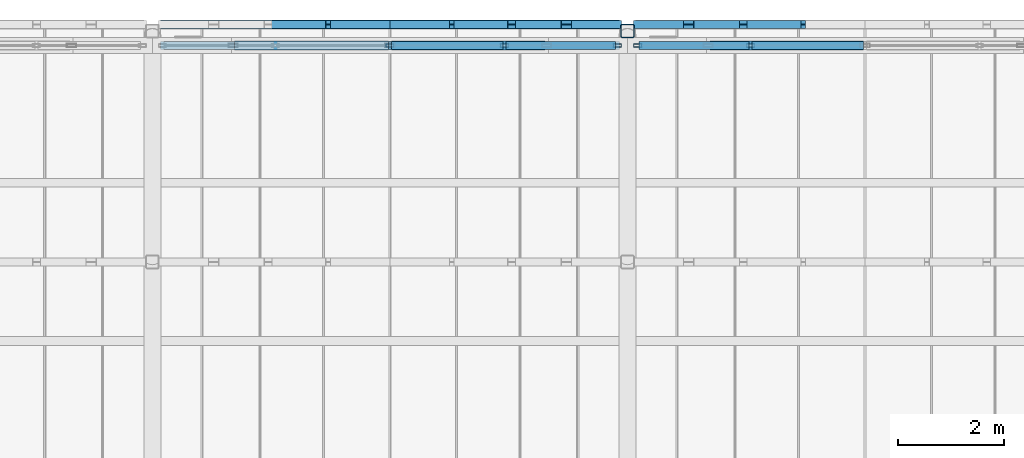
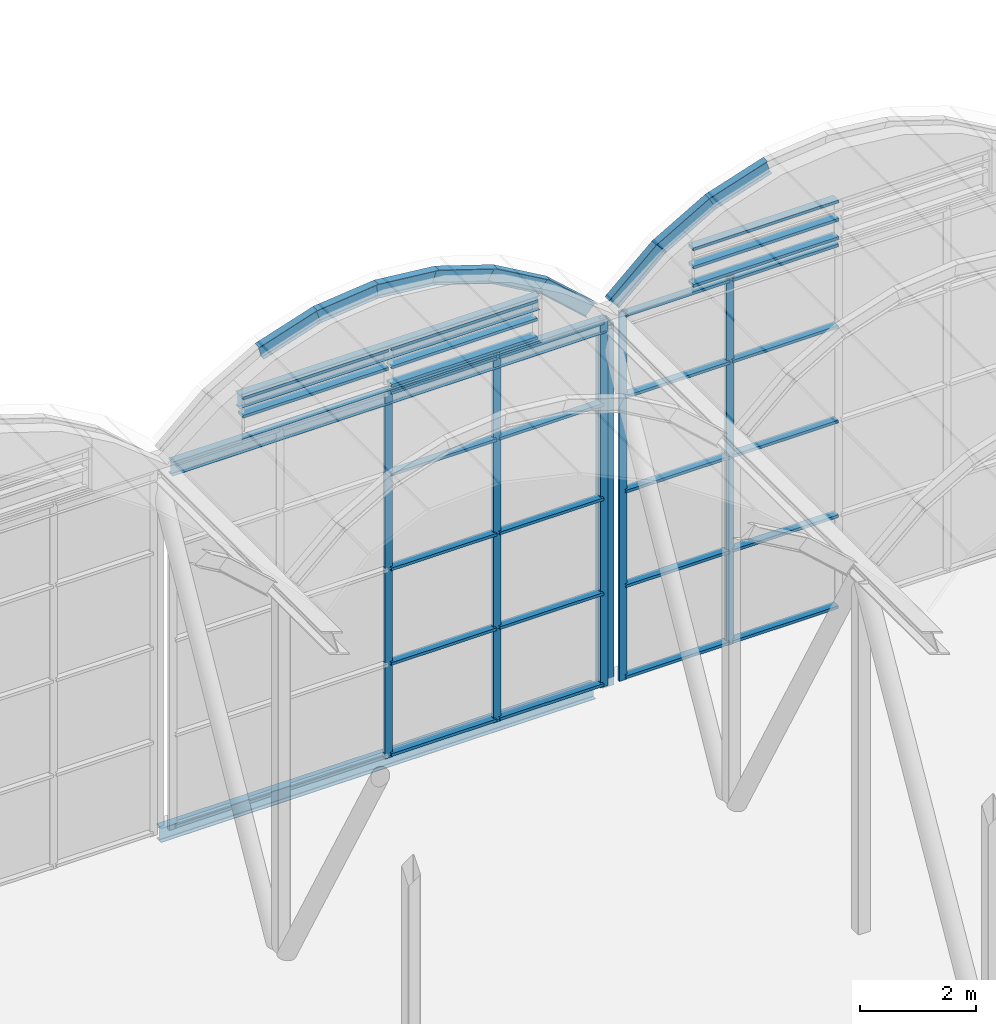
# One storey, part 105 of 144: 43 members, 3 beams, 4 elements without a shape of their own.
"""IFC4 building model written with IfcOpenShell, lengths in metres."""

from ifc_helpers import new_model, si_unit, direction, frame, origin, origin_2d, place, context, subcontext, project, spatial, hollow_rectangle, i_section, extrude, material, layer, layer_set, material_profile, profile_set, type_object, element, aggregate, save


model = new_model("IFC4")

# Units and contexts
model_context = context("Model", 3, precision=1e-05, world=origin(), true_north=direction((0.0, 1.0)))
body_context = subcontext(model_context, "Body", "Model", "MODEL_VIEW")
ifc_project = project(units=[si_unit("LENGTHUNIT", "METRE"), si_unit("AREAUNIT", "SQUARE_METRE"), si_unit("VOLUMEUNIT", "CUBIC_METRE"), si_unit("PLANEANGLEUNIT", "RADIAN"), si_unit("MASSUNIT", "GRAM", prefix="KILO")], contexts=[model_context])

# Site, building, storey
site_placement = place(None, origin())
site = spatial("IfcSite", under=ifc_project, at=site_placement, CompositionType="ELEMENT")
building_placement = place(site_placement, origin())
building = spatial("IfcBuilding", under=site, at=building_placement, Name="Shorebreak Coast Museum", CompositionType="ELEMENT")
storey_placement = place(building_placement, frame((0.0, 0.0, 36.0)))
storey = spatial("IfcBuildingStorey", under=building, at=storey_placement, Name="L06", CompositionType="ELEMENT", Elevation=36.0)

# Curtain wall, members
ifc_material_1 = material(Name="Aluminium", Category="aluminium")
ifc_layer_1 = layer(ifc_material_1, 0.14990234375)
ifc_layer_set_1 = layer_set([ifc_layer_1], Name="Aluminium")
curtain_wall_type_1 = type_object("IfcCurtainWallType", Name="Barrel end glazing", PredefinedType="NOTDEFINED", material=ifc_layer_set_1)
curtain_wall_1_placement = place(storey_placement, origin())
curtain_wall_1 = element("IfcCurtainWall", 1, at=curtain_wall_1_placement, inside=storey, type_object=curtain_wall_type_1, Name="Barrel end glazing L06 2", PredefinedType="NOTDEFINED")
ifc_material_2 = material(Name="Aluminium", Category="aluminium")
ifc_material_profile_1 = material_profile(ifc_material_2, hollow_rectangle(XDim=0.06005859375, YDim=0.14990234375, WallThickness=0.00390625, at=origin_2d()), Name="AL 150x60 RHS")
ifc_profile_set_1 = profile_set([ifc_material_profile_1], Name="Aluminium")
member_type_1 = type_object("IfcMemberType", Name="Barrel mullion 60 x 150", PredefinedType="MULLION", material=ifc_profile_set_1)
member_1_placement = place(storey_placement, frame((67.5, 134.60009765625, 0.0), z_axis=(0.0, 0.0, 1.0), x_axis=(0.0, 1.0, 0.0)))
member_1 = element("IfcMember", 2, at=member_1_placement, type_object=member_type_1, Name="CW7 mullion 3", PredefinedType="MULLION", context=body_context, shape_type="SweptSolid", body=[
    extrude(hollow_rectangle(XDim=0.06005859375, YDim=0.14990234375, WallThickness=0.00390625, at=origin_2d()), origin(), (0.0, 0.0, 1.0), 7.800048828125),
])
member_2_placement = place(storey_placement, frame((69.6689453125, 134.60009765625, 0.0), z_axis=(0.0, 0.0, 1.0), x_axis=(0.0, 1.0, 0.0)))
member_2 = element("IfcMember", 3, at=member_2_placement, type_object=member_type_1, Name="CW7 mullion 4", PredefinedType="MULLION", context=body_context, shape_type="SweptSolid", body=[
    extrude(hollow_rectangle(XDim=0.06005859375, YDim=0.14990234375, WallThickness=0.00390625, at=origin_2d()), origin(), (0.0, 0.0, 1.0), 7.800048828125),
])
member_3_placement = place(storey_placement, frame((71.80810546875, 134.60009765625, 0.0), z_axis=(0.0, 0.0, 1.0), x_axis=(0.0, 1.0, 0.0)))
member_3 = element("IfcMember", 4, at=member_3_placement, type_object=member_type_1, Name="CW7 mullion 5", PredefinedType="MULLION", context=body_context, shape_type="SweptSolid", body=[
    extrude(hollow_rectangle(XDim=0.06005859375, YDim=0.14990234375, WallThickness=0.00390625, at=origin_2d()), origin(), (0.0, 0.0, 1.0), 7.800048828125),
])

curtain_wall_2_placement = place(storey_placement, origin())
curtain_wall_2 = element("IfcCurtainWall", 5, at=curtain_wall_2_placement, inside=storey, type_object=curtain_wall_type_1, Name="Barrel end glazing L06 3", PredefinedType="NOTDEFINED")
member_4_placement = place(storey_placement, frame((72.19189453125, 134.60009765625, 0.0), z_axis=(0.0, 0.0, 1.0), x_axis=(0.0, 1.0, 0.0)))
member_4 = element("IfcMember", 6, at=member_4_placement, type_object=member_type_1, Name="CW7 mullion 1", PredefinedType="MULLION", context=body_context, shape_type="SweptSolid", body=[
    extrude(hollow_rectangle(XDim=0.06005859375, YDim=0.14990234375, WallThickness=0.00390625, at=origin_2d()), origin(), (0.0, 0.0, 1.0), 7.800048828125),
])
member_5_placement = place(storey_placement, frame((74.3310546875, 134.60009765625, 0.0), z_axis=(0.0, 0.0, 1.0), x_axis=(0.0, 1.0, 0.0)))
member_5 = element("IfcMember", 7, at=member_5_placement, type_object=member_type_1, Name="CW7 mullion 2", PredefinedType="MULLION", context=body_context, shape_type="SweptSolid", body=[
    extrude(hollow_rectangle(XDim=0.06005859375, YDim=0.14990234375, WallThickness=0.00390625, at=origin_2d()), origin(), (0.0, 0.0, 1.0), 7.800048828125),
])

# Member
ifc_material_3 = material(Name="Aluminium", Category="aluminium")
ifc_material_profile_2 = material_profile(ifc_material_3, hollow_rectangle(XDim=0.14990234375, YDim=0.06005859375, WallThickness=0.00390625, at=origin_2d()), Name="AL 60x150 RHS")
ifc_profile_set_2 = profile_set([ifc_material_profile_2], Name="Aluminium")
member_type_2 = type_object("IfcMemberType", Name="Barrel transom 150 x 60", PredefinedType="USERDEFINED", material=ifc_profile_set_2)
member_6_placement = place(storey_placement, frame((67.530029296875, 134.60009765625, 0.074951171875), z_axis=(1.0, 0.0, 0.0), x_axis=(0.0, 1.0, 0.0)))
member_6 = element("IfcMember", 8, at=member_6_placement, type_object=member_type_2, Name="CW7 transom 3.1", ObjectType="TRANSOM", PredefinedType="USERDEFINED", context=body_context, shape_type="SweptSolid", body=[
    extrude(hollow_rectangle(XDim=0.14990234375, YDim=0.06005859375, WallThickness=0.00390625, at=origin_2d()), origin(), (0.0, 0.0, 1.0), 2.10888671875),
])

member_7_placement = place(storey_placement, frame((67.530029296875, 134.60009765625, 2.0), z_axis=(1.0, 0.0, 0.0), x_axis=(0.0, 1.0, 0.0)))
member_7 = element("IfcMember", 9, at=member_7_placement, type_object=member_type_2, Name="CW7 transom 3.2", ObjectType="TRANSOM", PredefinedType="USERDEFINED", context=body_context, shape_type="SweptSolid", body=[
    extrude(hollow_rectangle(XDim=0.14990234375, YDim=0.06005859375, WallThickness=0.00390625, at=origin_2d()), origin(), (0.0, 0.0, 1.0), 2.10888671875),
])

member_8_placement = place(storey_placement, frame((67.530029296875, 134.60009765625, 4.0), z_axis=(1.0, 0.0, 0.0), x_axis=(0.0, 1.0, 0.0)))
member_8 = element("IfcMember", 10, at=member_8_placement, type_object=member_type_2, Name="CW7 transom 3.3", ObjectType="TRANSOM", PredefinedType="USERDEFINED", context=body_context, shape_type="SweptSolid", body=[
    extrude(hollow_rectangle(XDim=0.14990234375, YDim=0.06005859375, WallThickness=0.00390625, at=origin_2d()), origin(), (0.0, 0.0, 1.0), 2.10888671875),
])

member_9_placement = place(storey_placement, frame((67.530029296875, 134.60009765625, 6.0), z_axis=(1.0, 0.0, 0.0), x_axis=(0.0, 1.0, 0.0)))
member_9 = element("IfcMember", 11, at=member_9_placement, type_object=member_type_2, Name="CW7 transom 3.4", ObjectType="TRANSOM", PredefinedType="USERDEFINED", context=body_context, shape_type="SweptSolid", body=[
    extrude(hollow_rectangle(XDim=0.14990234375, YDim=0.06005859375, WallThickness=0.00390625, at=origin_2d()), origin(), (0.0, 0.0, 1.0), 2.10888671875),
])

member_10_placement = place(storey_placement, frame((67.530029296875, 134.60009765625, 7.72509765625), z_axis=(1.0, 0.0, 0.0), x_axis=(0.0, 1.0, 0.0)))
member_10 = element("IfcMember", 12, at=member_10_placement, type_object=member_type_2, Name="CW7 transom 3.5", ObjectType="TRANSOM", PredefinedType="USERDEFINED", context=body_context, shape_type="SweptSolid", body=[
    extrude(hollow_rectangle(XDim=0.14990234375, YDim=0.06005859375, WallThickness=0.00390625, at=origin_2d()), origin(), (0.0, 0.0, 1.0), 2.10888671875),
])

member_11_placement = place(storey_placement, frame((69.698974609375, 134.60009765625, 0.074951171875), z_axis=(1.0, 0.0, 0.0), x_axis=(0.0, 1.0, 0.0)))
member_11 = element("IfcMember", 13, at=member_11_placement, type_object=member_type_2, Name="CW7 transom 4.1", ObjectType="TRANSOM", PredefinedType="USERDEFINED", context=body_context, shape_type="SweptSolid", body=[
    extrude(hollow_rectangle(XDim=0.14990234375, YDim=0.06005859375, WallThickness=0.00390625, at=origin_2d()), origin(), (0.0, 0.0, 1.0), 2.0791015625),
])

member_12_placement = place(storey_placement, frame((69.698974609375, 134.60009765625, 2.0), z_axis=(1.0, 0.0, 0.0), x_axis=(0.0, 1.0, 0.0)))
member_12 = element("IfcMember", 14, at=member_12_placement, type_object=member_type_2, Name="CW7 transom 4.2", ObjectType="TRANSOM", PredefinedType="USERDEFINED", context=body_context, shape_type="SweptSolid", body=[
    extrude(hollow_rectangle(XDim=0.14990234375, YDim=0.06005859375, WallThickness=0.00390625, at=origin_2d()), origin(), (0.0, 0.0, 1.0), 2.0791015625),
])

member_13_placement = place(storey_placement, frame((69.698974609375, 134.60009765625, 4.0), z_axis=(1.0, 0.0, 0.0), x_axis=(0.0, 1.0, 0.0)))
member_13 = element("IfcMember", 15, at=member_13_placement, type_object=member_type_2, Name="CW7 transom 4.3", ObjectType="TRANSOM", PredefinedType="USERDEFINED", context=body_context, shape_type="SweptSolid", body=[
    extrude(hollow_rectangle(XDim=0.14990234375, YDim=0.06005859375, WallThickness=0.00390625, at=origin_2d()), origin(), (0.0, 0.0, 1.0), 2.0791015625),
])

member_14_placement = place(storey_placement, frame((69.698974609375, 134.60009765625, 6.0), z_axis=(1.0, 0.0, 0.0), x_axis=(0.0, 1.0, 0.0)))
member_14 = element("IfcMember", 16, at=member_14_placement, type_object=member_type_2, Name="CW7 transom 4.4", ObjectType="TRANSOM", PredefinedType="USERDEFINED", context=body_context, shape_type="SweptSolid", body=[
    extrude(hollow_rectangle(XDim=0.14990234375, YDim=0.06005859375, WallThickness=0.00390625, at=origin_2d()), origin(), (0.0, 0.0, 1.0), 2.0791015625),
])

member_15_placement = place(storey_placement, frame((69.698974609375, 134.60009765625, 7.72509765625), z_axis=(1.0, 0.0, 0.0), x_axis=(0.0, 1.0, 0.0)))
member_15 = element("IfcMember", 17, at=member_15_placement, type_object=member_type_2, Name="CW7 transom 4.5", ObjectType="TRANSOM", PredefinedType="USERDEFINED", context=body_context, shape_type="SweptSolid", body=[
    extrude(hollow_rectangle(XDim=0.14990234375, YDim=0.06005859375, WallThickness=0.00390625, at=origin_2d()), origin(), (0.0, 0.0, 1.0), 2.0791015625),
])

aggregate(curtain_wall_1, [member_1, member_2, member_3, member_6, member_7, member_8, member_9, member_10, member_11, member_12, member_13, member_14, member_15])

member_16_placement = place(storey_placement, frame((72.221923828125, 134.60009765625, 0.074951171875), z_axis=(1.0, 0.0, 0.0), x_axis=(0.0, 1.0, 0.0)))
member_16 = element("IfcMember", 18, at=member_16_placement, type_object=member_type_2, Name="CW7 transom 1.1", ObjectType="TRANSOM", PredefinedType="USERDEFINED", context=body_context, shape_type="SweptSolid", body=[
    extrude(hollow_rectangle(XDim=0.14990234375, YDim=0.06005859375, WallThickness=0.00390625, at=origin_2d()), origin(), (0.0, 0.0, 1.0), 2.0791015625),
])

member_17_placement = place(storey_placement, frame((72.221923828125, 134.60009765625, 2.0), z_axis=(1.0, 0.0, 0.0), x_axis=(0.0, 1.0, 0.0)))
member_17 = element("IfcMember", 19, at=member_17_placement, type_object=member_type_2, Name="CW7 transom 1.2", ObjectType="TRANSOM", PredefinedType="USERDEFINED", context=body_context, shape_type="SweptSolid", body=[
    extrude(hollow_rectangle(XDim=0.14990234375, YDim=0.06005859375, WallThickness=0.00390625, at=origin_2d()), origin(), (0.0, 0.0, 1.0), 2.0791015625),
])

member_18_placement = place(storey_placement, frame((72.221923828125, 134.60009765625, 4.0), z_axis=(1.0, 0.0, 0.0), x_axis=(0.0, 1.0, 0.0)))
member_18 = element("IfcMember", 20, at=member_18_placement, type_object=member_type_2, Name="CW7 transom 1.3", ObjectType="TRANSOM", PredefinedType="USERDEFINED", context=body_context, shape_type="SweptSolid", body=[
    extrude(hollow_rectangle(XDim=0.14990234375, YDim=0.06005859375, WallThickness=0.00390625, at=origin_2d()), origin(), (0.0, 0.0, 1.0), 2.0791015625),
])

member_19_placement = place(storey_placement, frame((72.221923828125, 134.60009765625, 6.0), z_axis=(1.0, 0.0, 0.0), x_axis=(0.0, 1.0, 0.0)))
member_19 = element("IfcMember", 21, at=member_19_placement, type_object=member_type_2, Name="CW7 transom 1.4", ObjectType="TRANSOM", PredefinedType="USERDEFINED", context=body_context, shape_type="SweptSolid", body=[
    extrude(hollow_rectangle(XDim=0.14990234375, YDim=0.06005859375, WallThickness=0.00390625, at=origin_2d()), origin(), (0.0, 0.0, 1.0), 2.0791015625),
])

member_20_placement = place(storey_placement, frame((72.221923828125, 134.60009765625, 7.72509765625), z_axis=(1.0, 0.0, 0.0), x_axis=(0.0, 1.0, 0.0)))
member_20 = element("IfcMember", 22, at=member_20_placement, type_object=member_type_2, Name="CW7 transom 1.5", ObjectType="TRANSOM", PredefinedType="USERDEFINED", context=body_context, shape_type="SweptSolid", body=[
    extrude(hollow_rectangle(XDim=0.14990234375, YDim=0.06005859375, WallThickness=0.00390625, at=origin_2d()), origin(), (0.0, 0.0, 1.0), 2.0791015625),
])

member_21_placement = place(storey_placement, frame((74.361083984375, 134.60009765625, 0.074951171875), z_axis=(1.0, 0.0, 0.0), x_axis=(0.0, 1.0, 0.0)))
member_21 = element("IfcMember", 23, at=member_21_placement, type_object=member_type_2, Name="CW7 transom 2.1", ObjectType="TRANSOM", PredefinedType="USERDEFINED", context=body_context, shape_type="SweptSolid", body=[
    extrude(hollow_rectangle(XDim=0.14990234375, YDim=0.06005859375, WallThickness=0.00390625, at=origin_2d()), origin(), (0.0, 0.0, 1.0), 2.10888671875),
])

member_22_placement = place(storey_placement, frame((74.361083984375, 134.60009765625, 2.0), z_axis=(1.0, 0.0, 0.0), x_axis=(0.0, 1.0, 0.0)))
member_22 = element("IfcMember", 24, at=member_22_placement, type_object=member_type_2, Name="CW7 transom 2.2", ObjectType="TRANSOM", PredefinedType="USERDEFINED", context=body_context, shape_type="SweptSolid", body=[
    extrude(hollow_rectangle(XDim=0.14990234375, YDim=0.06005859375, WallThickness=0.00390625, at=origin_2d()), origin(), (0.0, 0.0, 1.0), 2.10888671875),
])

member_23_placement = place(storey_placement, frame((74.361083984375, 134.60009765625, 4.0), z_axis=(1.0, 0.0, 0.0), x_axis=(0.0, 1.0, 0.0)))
member_23 = element("IfcMember", 25, at=member_23_placement, type_object=member_type_2, Name="CW7 transom 2.3", ObjectType="TRANSOM", PredefinedType="USERDEFINED", context=body_context, shape_type="SweptSolid", body=[
    extrude(hollow_rectangle(XDim=0.14990234375, YDim=0.06005859375, WallThickness=0.00390625, at=origin_2d()), origin(), (0.0, 0.0, 1.0), 2.10888671875),
])

member_24_placement = place(storey_placement, frame((74.361083984375, 134.60009765625, 6.0), z_axis=(1.0, 0.0, 0.0), x_axis=(0.0, 1.0, 0.0)))
member_24 = element("IfcMember", 26, at=member_24_placement, type_object=member_type_2, Name="CW7 transom 2.4", ObjectType="TRANSOM", PredefinedType="USERDEFINED", context=body_context, shape_type="SweptSolid", body=[
    extrude(hollow_rectangle(XDim=0.14990234375, YDim=0.06005859375, WallThickness=0.00390625, at=origin_2d()), origin(), (0.0, 0.0, 1.0), 2.10888671875),
])

member_25_placement = place(storey_placement, frame((74.361083984375, 134.60009765625, 7.72509765625), z_axis=(1.0, 0.0, 0.0), x_axis=(0.0, 1.0, 0.0)))
member_25 = element("IfcMember", 27, at=member_25_placement, type_object=member_type_2, Name="CW7 transom 2.5", ObjectType="TRANSOM", PredefinedType="USERDEFINED", context=body_context, shape_type="SweptSolid", body=[
    extrude(hollow_rectangle(XDim=0.14990234375, YDim=0.06005859375, WallThickness=0.00390625, at=origin_2d()), origin(), (0.0, 0.0, 1.0), 2.10888671875),
])

aggregate(curtain_wall_2, [member_4, member_5, member_16, member_17, member_18, member_19, member_20, member_21, member_22, member_23, member_24, member_25])

# Beam
ifc_material_4 = material(Name="Steel Grade 300", Category="steel")
ifc_material_profile_3 = material_profile(ifc_material_4, i_section(OverallWidth=0.166015625, OverallDepth=0.30712890625, WebThickness=0.006591796875, FlangeThickness=0.01171875, FilletRadius=0.011474609375, at=origin_2d()), Name="310UB46.2")
ifc_profile_set_3 = profile_set([ifc_material_profile_3], Name="Steel Grade 300")
beam_type_1 = type_object("IfcBeamType", Name="Floor girder east-west 310UB46.2", PredefinedType="BEAM", material=ifc_profile_set_3)
beam_1_placement = place(storey_placement, frame((63.155517578125, 135.0, -0.32861328125), z_axis=(1.0, 0.0, 0.0), x_axis=(0.0, 1.0, 0.0)))
element("IfcBeam", 28, at=beam_1_placement, inside=storey, type_object=beam_type_1, Name="Floor girder east-west L06 8S", PredefinedType="BEAM", context=body_context, shape_type="SweptSolid", body=[
    extrude(i_section(OverallWidth=0.166015625, OverallDepth=0.30712890625, WebThickness=0.006591796875, FlangeThickness=0.01171875, FilletRadius=0.011474609375, at=origin_2d()), origin(), (0.0, 0.0, 1.0), 8.68896484375),
])

# Curtain wall, members
ifc_material_5 = material(Name="Aluminium", Category="aluminium")
ifc_layer_2 = layer(ifc_material_5, 0.175048828125)
ifc_layer_set_2 = layer_set([ifc_layer_2], Name="Aluminium")
curtain_wall_type_2 = type_object("IfcCurtainWallType", Name="Gable curtain wall", PredefinedType="NOTDEFINED", material=ifc_layer_set_2)
curtain_wall_3_placement = place(storey_placement, origin())
curtain_wall_3 = element("IfcCurtainWall", 29, at=curtain_wall_3_placement, inside=storey, type_object=curtain_wall_type_2, Name="Vault arch glazing V2", PredefinedType="NOTDEFINED")
ifc_material_6 = material(Name="Aluminium", Category="aluminium")
ifc_material_profile_4 = material_profile(ifc_material_6, hollow_rectangle(XDim=0.175048828125, YDim=0.06005859375, WallThickness=0.00390625, at=origin_2d()), Name="AL 60x175 RHS")
ifc_profile_set_4 = profile_set([ifc_material_profile_4], Name="Aluminium")
member_type_3 = type_object("IfcMemberType", Name="Gable transom 175 x 60", PredefinedType="USERDEFINED", material=ifc_profile_set_4)
member_26_placement = place(storey_placement, frame((64.56005859375, 134.60009765625, 8.27490234375), z_axis=(1.0, 0.0, 0.0), x_axis=(0.0, 1.0, 0.0)))
member_26 = element("IfcMember", 30, at=member_26_placement, type_object=member_type_3, Name="CW9 transom 1.2", ObjectType="TRANSOM", PredefinedType="USERDEFINED", context=body_context, shape_type="SweptSolid", body=[
    extrude(hollow_rectangle(XDim=0.175048828125, YDim=0.06005859375, WallThickness=0.00390625, at=origin_2d()), origin(), (0.0, 0.0, 1.0), 2.909912109375),
])
member_27_placement = place(storey_placement, frame((64.56005859375, 134.60009765625, 8.66259765625), z_axis=(1.0, 0.0, 0.0), x_axis=(0.0, 1.0, 0.0)))
member_27 = element("IfcMember", 31, at=member_27_placement, type_object=member_type_3, Name="CW9 transom 1.3", ObjectType="TRANSOM", PredefinedType="USERDEFINED", context=body_context, shape_type="SweptSolid", body=[
    extrude(hollow_rectangle(XDim=0.175048828125, YDim=0.06005859375, WallThickness=0.00390625, at=origin_2d()), origin(), (0.0, 0.0, 1.0), 2.909912109375),
])
member_28_placement = place(storey_placement, frame((67.530029296875, 134.60009765625, 7.887451171875), z_axis=(1.0, 0.0, 0.0), x_axis=(0.0, 1.0, 0.0)))
member_28 = element("IfcMember", 32, at=member_28_placement, type_object=member_type_3, Name="CW9 transom 2.1", ObjectType="TRANSOM", PredefinedType="USERDEFINED", context=body_context, shape_type="SweptSolid", body=[
    extrude(hollow_rectangle(XDim=0.175048828125, YDim=0.06005859375, WallThickness=0.00390625, at=origin_2d()), origin(), (0.0, 0.0, 1.0), 2.909912109375),
])
member_29_placement = place(storey_placement, frame((67.530029296875, 134.60009765625, 8.27490234375), z_axis=(1.0, 0.0, 0.0), x_axis=(0.0, 1.0, 0.0)))
member_29 = element("IfcMember", 33, at=member_29_placement, type_object=member_type_3, Name="CW9 transom 2.2", ObjectType="TRANSOM", PredefinedType="USERDEFINED", context=body_context, shape_type="SweptSolid", body=[
    extrude(hollow_rectangle(XDim=0.175048828125, YDim=0.06005859375, WallThickness=0.00390625, at=origin_2d()), origin(), (0.0, 0.0, 1.0), 2.909912109375),
])
member_30_placement = place(storey_placement, frame((67.530029296875, 134.60009765625, 8.66259765625), z_axis=(1.0, 0.0, 0.0), x_axis=(0.0, 1.0, 0.0)))
member_30 = element("IfcMember", 34, at=member_30_placement, type_object=member_type_3, Name="CW9 transom 2.3", ObjectType="TRANSOM", PredefinedType="USERDEFINED", context=body_context, shape_type="SweptSolid", body=[
    extrude(hollow_rectangle(XDim=0.175048828125, YDim=0.06005859375, WallThickness=0.00390625, at=origin_2d()), origin(), (0.0, 0.0, 1.0), 2.909912109375),
])
aggregate(curtain_wall_3, [member_26, member_27, member_28, member_29, member_30])

curtain_wall_4_placement = place(storey_placement, origin())
curtain_wall_4 = element("IfcCurtainWall", 35, at=curtain_wall_4_placement, inside=storey, type_object=curtain_wall_type_2, Name="Vault arch glazing V3", PredefinedType="NOTDEFINED")
member_31_placement = place(storey_placement, frame((73.56005859375, 134.60009765625, 7.887451171875), z_axis=(1.0, 0.0, 0.0), x_axis=(0.0, 1.0, 0.0)))
member_31 = element("IfcMember", 36, at=member_31_placement, type_object=member_type_3, Name="CW9 transom 1.1", ObjectType="TRANSOM", PredefinedType="USERDEFINED", context=body_context, shape_type="SweptSolid", body=[
    extrude(hollow_rectangle(XDim=0.175048828125, YDim=0.06005859375, WallThickness=0.00390625, at=origin_2d()), origin(), (0.0, 0.0, 1.0), 2.909912109375),
])
member_32_placement = place(storey_placement, frame((73.56005859375, 134.60009765625, 8.27490234375), z_axis=(1.0, 0.0, 0.0), x_axis=(0.0, 1.0, 0.0)))
member_32 = element("IfcMember", 37, at=member_32_placement, type_object=member_type_3, Name="CW9 transom 1.2", ObjectType="TRANSOM", PredefinedType="USERDEFINED", context=body_context, shape_type="SweptSolid", body=[
    extrude(hollow_rectangle(XDim=0.175048828125, YDim=0.06005859375, WallThickness=0.00390625, at=origin_2d()), origin(), (0.0, 0.0, 1.0), 2.909912109375),
])
member_33_placement = place(storey_placement, frame((73.56005859375, 134.60009765625, 8.66259765625), z_axis=(1.0, 0.0, 0.0), x_axis=(0.0, 1.0, 0.0)))
member_33 = element("IfcMember", 38, at=member_33_placement, type_object=member_type_3, Name="CW9 transom 1.3", ObjectType="TRANSOM", PredefinedType="USERDEFINED", context=body_context, shape_type="SweptSolid", body=[
    extrude(hollow_rectangle(XDim=0.175048828125, YDim=0.06005859375, WallThickness=0.00390625, at=origin_2d()), origin(), (0.0, 0.0, 1.0), 2.909912109375),
])
aggregate(curtain_wall_4, [member_31, member_32, member_33])

# Members
ifc_material_7 = material(Name="Steel Grade C450L0", Category="steel")
ifc_material_profile_5 = material_profile(ifc_material_7, hollow_rectangle(XDim=0.25, YDim=0.25, WallThickness=0.009033203125, InnerFilletRadius=0.013427734375, OuterFilletRadius=0.0224609375, at=origin_2d()), Name="250x250x9.0 SHS")
ifc_profile_set_5 = profile_set([ifc_material_profile_5], Name="Steel Grade C450L0")
member_type_4 = type_object("IfcMemberType", Name="Transfer truss strut 250x250x9.0 SHS", PredefinedType="STRUT", material=ifc_profile_set_5)
member_34_placement = place(storey_placement, frame((72.0, 134.875, -0.175048828125), z_axis=(0.0, 0.0, 1.0), x_axis=(1.0, 0.0, 0.0)))
element("IfcMember", 39, at=member_34_placement, inside=storey, type_object=member_type_4, Name="Transfer truss TR3 strut V14", PredefinedType="STRUT", context=body_context, shape_type="SweptSolid", body=[
    extrude(hollow_rectangle(XDim=0.25, YDim=0.25, WallThickness=0.009033203125, InnerFilletRadius=0.013427734375, OuterFilletRadius=0.0224609375, at=origin_2d()), origin(), (0.0, 0.0, 1.0), 7.6328125),
])
ifc_material_8 = material(Name="Steel Grade 300", Category="steel")
ifc_material_profile_6 = material_profile(ifc_material_8, i_section(OverallWidth=0.14892578125, OverallDepth=0.298095703125, WebThickness=0.005615234375, FlangeThickness=0.008056640625, FilletRadius=0.012939453125, at=origin_2d()), Name="310UB32.0")
ifc_profile_set_6 = profile_set([ifc_material_profile_6], Name="Steel Grade 300")
member_type_5 = type_object("IfcMemberType", Name="Vault arch rib 310UB32.0", PredefinedType="RAFTER", material=ifc_profile_set_6)
for number, where, z_axis, x_axis, name in (
    (40, (65.165283203125, 135.0, 9.152099609375), (0.951225984169, 0.0, 0.308494938436), (0.0, 1.0, 0.0), "Vault arch rib V2 line 10 facet 3"),
    (41, (66.298828125, 135.0, 9.52294921875), (0.994539296345, 0.0, 0.104362771266), (0.0, 1.0, 0.0), "Vault arch rib V2 line 10 facet 4"),
    (42, (67.484375, 135.0, 9.650634765625), (0.994539296345, 0.0, -0.104362771266), (0.0, 1.0, 0.0), "Vault arch rib V2 line 10 facet 5"),
    (43, (68.6708984375, 135.0, 9.529541015625), (0.951225984169, 0.0, -0.308494938436), (0.0, 1.0, 0.0), "Vault arch rib V2 line 10 facet 6"),
    (44, (69.80615234375, 135.0, 9.16455078125), (0.866444596228, 0.0, -0.499273233478), (0.0, 1.0, 0.0), "Vault arch rib V2 line 10 facet 7"),
):
    element("IfcMember", number, at=place(storey_placement, frame(where, z_axis=z_axis, x_axis=x_axis)), inside=storey, type_object=member_type_5, Name=name, PredefinedType="RAFTER", context=body_context, shape_type="SweptSolid", body=[
        extrude(i_section(OverallWidth=0.14892578125, OverallDepth=0.298095703125, WebThickness=0.005615234375, FlangeThickness=0.008056640625, FilletRadius=0.012939453125, at=origin_2d()), origin(), (0.0, 0.0, 1.0), 1.223388671875),
    ])
for number, where, z_axis, x_axis, name in (
    (45, (70.841064453125, 135.0, 8.572021484375), (0.743894909598, 0.0, -0.668296613394), (0.0, 1.0, 0.0), "Vault arch rib V2 line 10 facet 8"),
    (46, (72.21240234375, 135.0, 7.7216796875), (0.743894909598, 0.0, 0.668296613394), (0.0, 1.0, 0.0), "Vault arch rib V3 line 10 facet 1"),
):
    element("IfcMember", number, at=place(storey_placement, frame(where, z_axis=z_axis, x_axis=x_axis)), inside=storey, type_object=member_type_5, Name=name, PredefinedType="RAFTER", context=body_context, shape_type="SweptSolid", body=[
        extrude(i_section(OverallWidth=0.14892578125, OverallDepth=0.298095703125, WebThickness=0.005615234375, FlangeThickness=0.008056640625, FilletRadius=0.012939453125, at=origin_2d()), origin(), (0.0, 0.0, 1.0), 1.2724609375),
    ])
for number, where, z_axis, x_axis, name in (
    (47, (73.1337890625, 135.0, 8.5537109375), (0.866444596228, 0.0, 0.499273233478), (0.0, 1.0, 0.0), "Vault arch rib V3 line 10 facet 2"),
    (48, (74.165283203125, 135.0, 9.152099609375), (0.951225984169, 0.0, 0.308494938436), (0.0, 1.0, 0.0), "Vault arch rib V3 line 10 facet 3"),
):
    element("IfcMember", number, at=place(storey_placement, frame(where, z_axis=z_axis, x_axis=x_axis)), inside=storey, type_object=member_type_5, Name=name, PredefinedType="RAFTER", context=body_context, shape_type="SweptSolid", body=[
        extrude(i_section(OverallWidth=0.14892578125, OverallDepth=0.298095703125, WebThickness=0.005615234375, FlangeThickness=0.008056640625, FilletRadius=0.012939453125, at=origin_2d()), origin(), (0.0, 0.0, 1.0), 1.223388671875),
    ])

# Beams
ifc_material_9 = material(Name="Steel Grade 300", Category="steel")
ifc_material_profile_7 = material_profile(ifc_material_9, i_section(OverallWidth=0.14892578125, OverallDepth=0.298095703125, WebThickness=0.005615234375, FlangeThickness=0.008056640625, FilletRadius=0.012939453125, at=origin_2d()), Name="310UB32.0")
ifc_profile_set_7 = profile_set([ifc_material_profile_7], Name="Steel Grade 300")
beam_type_2 = type_object("IfcBeamType", Name="Vault end edge beam 310UB32.0", PredefinedType="BEAM", material=ifc_profile_set_7)
beam_2_placement = place(storey_placement, frame((63.155517578125, 134.60009765625, 7.65087890625), z_axis=(1.0, 0.0, 0.0), x_axis=(0.0, 1.0, 0.0)))
element("IfcBeam", 49, at=beam_2_placement, inside=storey, type_object=beam_type_2, Name="Vault end edge beam V2", PredefinedType="BEAM", context=body_context, shape_type="SweptSolid", body=[
    extrude(i_section(OverallWidth=0.14892578125, OverallDepth=0.298095703125, WebThickness=0.005615234375, FlangeThickness=0.008056640625, FilletRadius=0.012939453125, at=origin_2d()), origin(), (0.0, 0.0, 1.0), 8.68896484375),
])
ifc_material_10 = material(Name="Steel Grade 300", Category="steel")
ifc_material_profile_8 = material_profile(ifc_material_10, i_section(OverallWidth=0.14892578125, OverallDepth=0.298095703125, WebThickness=0.005615234375, FlangeThickness=0.008056640625, FilletRadius=0.012939453125, at=origin_2d()), Name="310UB32.0")
ifc_profile_set_8 = profile_set([ifc_material_profile_8], Name="Steel Grade 300")
beam_type_3 = type_object("IfcBeamType", Name="Vault end lintel 310UB32.0", PredefinedType="BEAM", material=ifc_profile_set_8)
beam_3_placement = place(storey_placement, frame((64.5, 134.60009765625, 8.60107421875), z_axis=(1.0, 0.0, 0.0), x_axis=(0.0, 1.0, 0.0)))
element("IfcBeam", 50, at=beam_3_placement, inside=storey, type_object=beam_type_3, Name="Vault end lintel V2", PredefinedType="BEAM", context=body_context, shape_type="SweptSolid", body=[
    extrude(i_section(OverallWidth=0.14892578125, OverallDepth=0.298095703125, WebThickness=0.005615234375, FlangeThickness=0.008056640625, FilletRadius=0.012939453125, at=origin_2d()), origin(), (0.0, 0.0, 1.0), 6.0),
])

save(model, "model.ifc")
